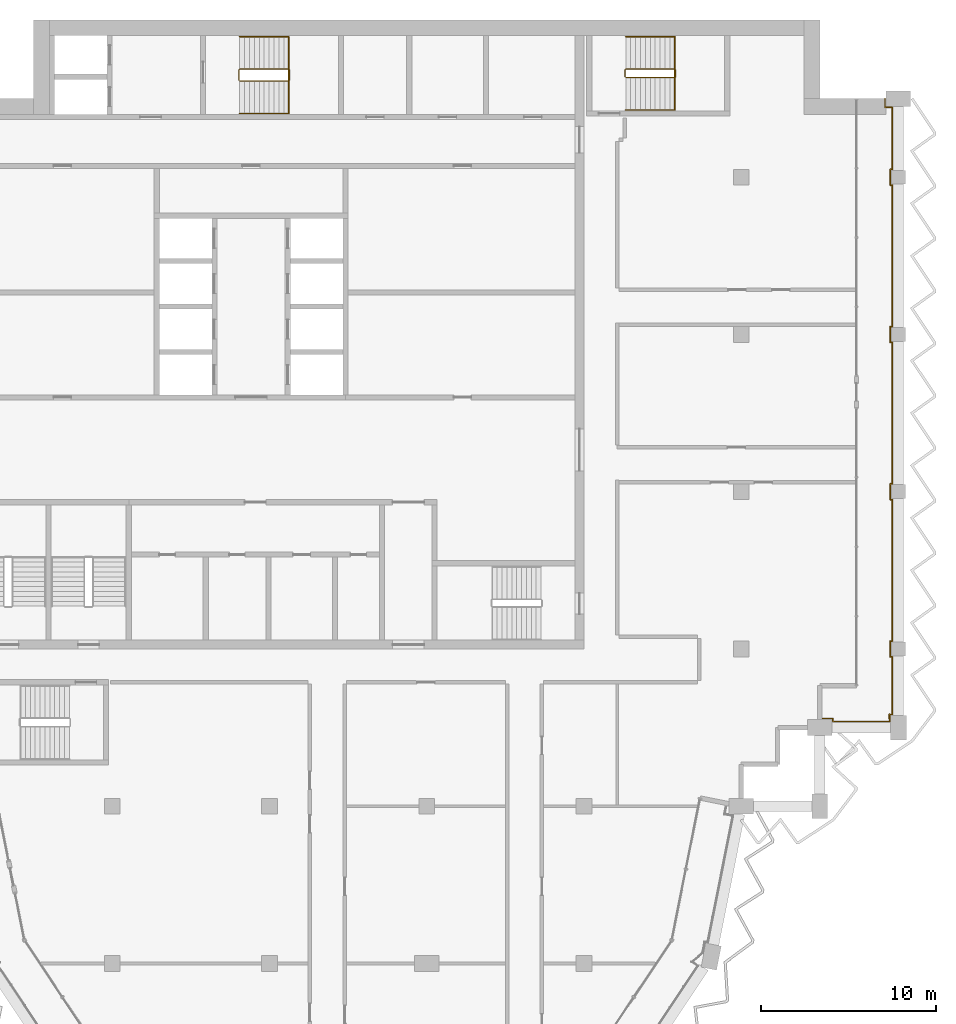
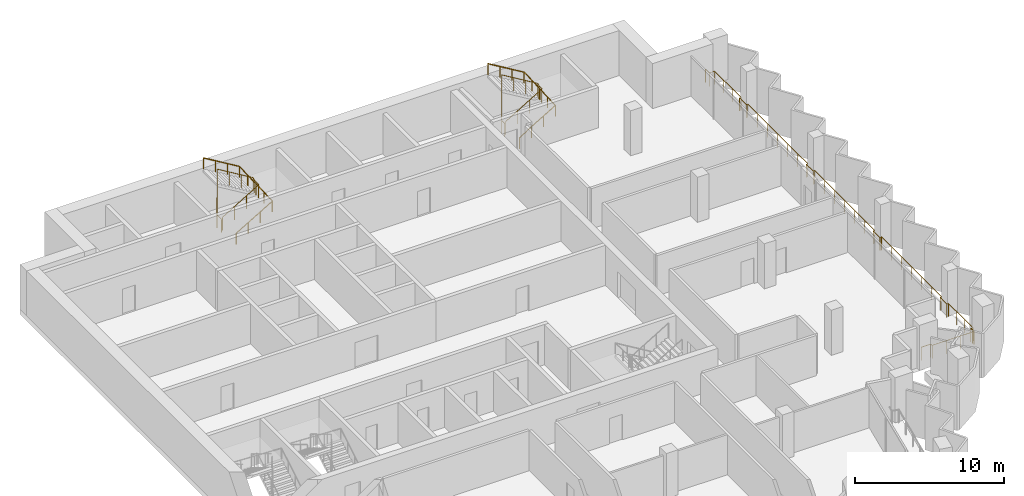
# One storey, part 14 of 14: 5 railings.
"""IFC4 building model written with IfcOpenShell, lengths in metres."""

import ifcopenshell
import ifcopenshell.guid

model = None  # the IFC model being written
_history = None  # IfcOwnerHistory: only IFC2X3 demands one
_inside = {}  # id of a spatial element -> (the spatial element, [elements in it])
_under = {}  # id of a project, library or spatial element -> (it, [spatial elements below it])
_declared = {}  # id of a project -> (the project, [libraries it declares])
_typed = {}  # id of a type object -> (the type object, [elements of that type])
_made_of = {}  # id of a material, layer set ... -> (it, [elements and type objects made of it])


def new_model(schema):
    """Start an empty IFC model of exactly this schema.

    Asked for "IFC4X3", IfcOpenShell would pick the latest addendum, in which some entities
    have other attributes; the version numbers below select the first issue.
    IFC2X3 requires an IfcOwnerHistory on every rooted entity: one is made here for all.
    """
    global model, _history
    if schema == "IFC4X3":
        model = ifcopenshell.file(schema_version=(4, 3, 0, 0))
    else:
        model = ifcopenshell.file(schema=schema)
    _inside.clear()
    _under.clear()
    _declared.clear()
    _typed.clear()
    _made_of.clear()
    _history = None
    if model.schema == "IFC2X3":
        org = make("IfcOrganization", Name="unknown")
        user = make(
            "IfcPersonAndOrganization",
            ThePerson=make("IfcPerson", FamilyName="unknown"),
            TheOrganization=org,
        )
        app = make(
            "IfcApplication",
            ApplicationDeveloper=org,
            Version="unknown",
            ApplicationFullName="unknown",
            ApplicationIdentifier="unknown",
        )
        _history = make(
            "IfcOwnerHistory",
            OwningUser=user,
            OwningApplication=app,
            ChangeAction="ADDED",
            CreationDate=0,
        )
    return model


def make(cls, **values):
    """One entity of the class cls with the attributes given. An attribute that is None is left unset."""
    return model.create_entity(
        cls, **{name: value for name, value in values.items() if value is not None}
    )


def rooted(cls, **values):
    """An entity with a GlobalId (a new one), such as an element, a storey or a relation."""
    return make(cls, GlobalId=ifcopenshell.guid.new(), OwnerHistory=_history, **values)


def si_unit(unit_type, name, prefix=None):
    """IfcSIUnit, for example si_unit("LENGTHUNIT", "METRE", prefix="MILLI")."""
    return make("IfcSIUnit", UnitType=unit_type, Prefix=prefix, Name=name)


def assignment(units):
    """IfcUnitAssignment: the units of a project."""
    return None if units is None else make("IfcUnitAssignment", Units=units)


def point(xyz):
    """IfcCartesianPoint."""
    return None if xyz is None else make("IfcCartesianPoint", Coordinates=xyz)


def direction(xyz):
    """IfcDirection."""
    return None if xyz is None else make("IfcDirection", DirectionRatios=xyz)


def frame(location, z_axis=None, x_axis=None):
    """IfcAxis2Placement3D, a coordinate frame: its origin and axes. An axis left out is left unset."""
    return make(
        "IfcAxis2Placement3D",
        Location=point(location),
        Axis=direction(z_axis),
        RefDirection=direction(x_axis),
    )


def frame_2d(location, x_axis=None):
    """IfcAxis2Placement2D, a coordinate frame in the plane: its origin and x axis."""
    return make(
        "IfcAxis2Placement2D", Location=point(location), RefDirection=direction(x_axis)
    )


def origin():
    """The frame at (0, 0, 0) with its axes left unset."""
    return frame((0.0, 0.0, 0.0))


def origin_2d():
    """The frame at (0, 0) in the plane with its x axis left unset."""
    return frame_2d((0.0, 0.0))


def place(relative_to, where):
    """IfcLocalPlacement: puts the frame where relative to a parent placement (None: the world)."""
    return make(
        "IfcLocalPlacement", PlacementRelTo=relative_to, RelativePlacement=where
    )


def context(
    kind, dimensions, precision=None, world=None, true_north=None, identifier=None
):
    """IfcGeometricRepresentationContext, for example the 3D "Model" context."""
    return make(
        "IfcGeometricRepresentationContext",
        ContextIdentifier=identifier,
        ContextType=kind,
        CoordinateSpaceDimension=dimensions,
        Precision=precision,
        WorldCoordinateSystem=world,
        TrueNorth=true_north,
    )


def subcontext(parent, identifier, kind, view, scale=None):
    """IfcGeometricRepresentationSubContext, for example "Body" below "Model"."""
    return make(
        "IfcGeometricRepresentationSubContext",
        ContextIdentifier=identifier,
        ContextType=kind,
        ParentContext=parent,
        TargetScale=scale,
        TargetView=view,
    )


def project(units=None, contexts=None):
    """IfcProject with its units and contexts."""
    return rooted(
        "IfcProject",
        Name="project",
        RepresentationContexts=contexts,
        UnitsInContext=assignment(units),
    )


def spatial(cls, under=None, at=None, **own):
    """A site, building, storey or space (cls), placed at a placement, below another one or the project."""
    s = rooted(cls, ObjectPlacement=at, **own)
    if under is not None:
        _under.setdefault(under.id(), (under, []))[1].append(s)
    return s


def profile(cls, at=None, kind="AREA", **sizes):
    """A parametric profile (cls). Its sizes go by their IFC names, for example OverallWidth=200.0."""
    return make(cls, ProfileType=kind, Position=at, **sizes)


def circle(**sizes):
    """IfcCircleProfileDef."""
    return profile("IfcCircleProfileDef", **sizes)


def extrude(swept, where, along, depth):
    """IfcExtrudedAreaSolid: the profile swept, set in the frame where, extruded along a direction by depth."""
    return make(
        "IfcExtrudedAreaSolid",
        SweptArea=swept,
        Position=where,
        ExtrudedDirection=direction(along),
        Depth=depth,
    )


def shape(context_of_items, identifier, shape_type, items):
    """IfcShapeRepresentation: the items that make up one representation, for example the "Body"."""
    return make(
        "IfcShapeRepresentation",
        ContextOfItems=context_of_items,
        RepresentationIdentifier=identifier,
        RepresentationType=shape_type,
        Items=items,
    )


def material(Name=None, Category=None):
    """IfcMaterial."""
    return make("IfcMaterial", Name=Name, Category=Category)


def made_of(thing, what):
    """Note that an element or type object is made of a material, layer set ...; save() writes the relation."""
    if what is not None:
        _made_of.setdefault(what.id(), (what, []))[1].append(thing)
    return thing


def type_object(cls, material=None, **own):
    """A type object (cls), such as IfcWallType, which elements share."""
    return made_of(rooted(cls, **own), material)


def element(
    cls,
    number,
    at=None,
    inside=None,
    cuts=None,
    type_object=None,
    material=None,
    context=None,
    identifier="Body",
    shape_type=None,
    held_by="IfcProductDefinitionShape",
    body=None,
    shapes=None,
    **own,
):
    """One element of the class cls, such as IfcWall. Its Tag is "e" and its number.

    at: its placement. inside: the storey or other place that contains it. cuts: it is an
    opening in that element (IfcRelVoidsElement). A single representation is given by context,
    identifier, shape_type and body (its items); several are given by shapes. held_by: the class
    of the entity that holds the representations. save() writes the other relations.
    """
    e = rooted(cls, Tag="e%d" % number, ObjectPlacement=at, **own)
    if body is not None:
        shapes = [shape(context, identifier, shape_type, body)]
    if shapes is not None:
        e.Representation = make(held_by, Representations=shapes)
    if inside is not None:
        _inside.setdefault(inside.id(), (inside, []))[1].append(e)
    if cuts is not None:
        rooted(
            "IfcRelVoidsElement", RelatingBuildingElement=cuts, RelatedOpeningElement=e
        )
    if type_object is not None:
        _typed.setdefault(type_object.id(), (type_object, []))[1].append(e)
    return made_of(e, material)


def aggregate(whole, parts):
    """IfcRelAggregates: a whole, such as a stair, and the parts it consists of."""
    return rooted("IfcRelAggregates", RelatingObject=whole, RelatedObjects=parts)


def save(model, path):
    """Write the relations noted so far, then the file.

    IfcRelAggregates (storeys below a building ...), IfcRelContainedInSpatialStructure (elements
    in a storey), IfcRelDefinesByType, IfcRelAssociatesMaterial and IfcRelDeclares: one each for
    every whole, place, type object, material and project.
    """
    for whole, parts in _under.values():
        aggregate(whole, parts)
    for where, things in _inside.values():
        rooted(
            "IfcRelContainedInSpatialStructure",
            RelatedElements=things,
            RelatingStructure=where,
        )
    for kind, things in _typed.values():
        rooted("IfcRelDefinesByType", RelatedObjects=things, RelatingType=kind)
    for what, things in _made_of.values():
        rooted("IfcRelAssociatesMaterial", RelatedObjects=things, RelatingMaterial=what)
    for by, libraries in _declared.values():
        rooted("IfcRelDeclares", RelatingContext=by, RelatedDefinitions=libraries)
    model.write(path)


model = new_model("IFC4")

# Units and contexts
model_context = context("Model", 3, precision=1e-05, world=origin(), true_north=direction((0.0, 1.0)))
body_context = subcontext(model_context, "Body", "Model", "MODEL_VIEW")
ifc_project = project(units=[si_unit("LENGTHUNIT", "METRE"), si_unit("AREAUNIT", "SQUARE_METRE"), si_unit("VOLUMEUNIT", "CUBIC_METRE"), si_unit("PLANEANGLEUNIT", "RADIAN"), si_unit("MASSUNIT", "GRAM", prefix="KILO")], contexts=[model_context])

# Site, building, storey
site_placement = place(None, origin())
site = spatial("IfcSite", under=ifc_project, at=site_placement, CompositionType="ELEMENT")
building_placement = place(site_placement, origin())
building = spatial("IfcBuilding", under=site, at=building_placement, Name="Hunhe Ridgeline Campus", CompositionType="ELEMENT")
storey_placement = place(building_placement, frame((0.0, 0.0, 284.5)))
storey = spatial("IfcBuildingStorey", under=building, at=storey_placement, Name="L73", CompositionType="ELEMENT", Elevation=284.5)

# Railings
ifc_material_1 = material(Name="Steel Q355", Category="steel")
railing_type_1 = type_object("IfcRailingType", Name="Loggia guard 1100 Steel Q355", PredefinedType="GUARDRAIL", material=ifc_material_1)
railing_1_placement = place(storey_placement, frame((49.5, 59.02001953125, 0.0)))
element("IfcRailing", 1, at=railing_1_placement, inside=storey, type_object=railing_type_1, Name="Loggia guard 2", PredefinedType="GUARDRAIL", context=body_context, shape_type="SweptSolid", body=[
    extrude(circle(Radius=0.02392578125, at=origin_2d()), frame((0.0, 0.0, 1.076171875), z_axis=(1.0, 0.0, 0.0), x_axis=(0.0, 1.0, 0.0)), (0.0, 0.0, 1.0), 0.75),
    extrude(circle(Radius=0.02392578125, at=origin_2d()), frame((0.75, 0.0, 1.076171875), z_axis=(0.0, -1.0, 0.0), x_axis=(1.0, 0.0, 0.0)), (0.0, 0.0, 1.0), 0.169921875),
    extrude(circle(Radius=0.02392578125, at=origin_2d()), frame((0.75, -0.169921875, 1.076171875), z_axis=(1.0, 0.0, 0.0), x_axis=(0.0, 1.0, 0.0)), (0.0, 0.0, 1.0), 3.25),
    extrude(circle(Radius=0.02392578125, at=origin_2d()), frame((4.0, -0.169921875, 1.076171875), z_axis=(0.0, 1.0, 0.0), x_axis=(-1.0, 0.0, 0.0)), (0.0, 0.0, 1.0), 0.419921875),
    extrude(circle(Radius=0.02392578125, at=origin_2d()), frame((4.0, 0.25, 1.076171875), z_axis=(-0.079822602517, -0.996809085095, 0.0), x_axis=(0.996809085095, -0.079822602517, 0.0)), (0.0, 0.0, 1.0), 0.250732421875),
    extrude(circle(Radius=0.02392578125, at=origin_2d()), frame((3.97998046875, 0.0, 1.076171875), z_axis=(0.0, 1.0, 0.0), x_axis=(-1.0, 0.0, 0.0)), (0.0, 0.0, 1.0), 0.22998046875),
    extrude(circle(Radius=0.02392578125, at=origin_2d()), frame((3.97998046875, 0.22998046875, 1.076171875), z_axis=(1.0, 0.0, 0.0), x_axis=(0.0, 1.0, 0.0)), (0.0, 0.0, 1.0), 0.169921875),
    extrude(circle(Radius=0.02392578125, at=origin_2d()), frame((4.14990234375, 0.22998046875, 1.076171875), z_axis=(0.0, 1.0, 0.0), x_axis=(-1.0, 0.0, 0.0)), (0.0, 0.0, 1.0), 3.300048828125),
    extrude(circle(Radius=0.02392578125, at=origin_2d()), frame((4.14990234375, 3.530029296875, 1.076171875), z_axis=(-1.0, 0.0, 0.0), x_axis=(0.0, -1.0, 0.0)), (0.0, 0.0, 1.0), 0.119873046875),
    extrude(circle(Radius=0.02392578125, at=origin_2d()), frame((4.030029296875, 3.530029296875, 1.076171875), z_axis=(0.0, 1.0, 0.0), x_axis=(-1.0, 0.0, 0.0)), (0.0, 0.0, 1.0), 0.89990234375),
    extrude(circle(Radius=0.02392578125, at=origin_2d()), frame((4.030029296875, 4.429931640625, 1.076171875), z_axis=(1.0, 0.0, 0.0), x_axis=(0.0, 1.0, 0.0)), (0.0, 0.0, 1.0), 0.119873046875),
    extrude(circle(Radius=0.02392578125, at=origin_2d()), frame((4.14990234375, 4.429931640625, 1.076171875), z_axis=(0.0, 1.0, 0.0), x_axis=(-1.0, 0.0, 0.0)), (0.0, 0.0, 1.0), 8.10009765625),
    extrude(circle(Radius=0.02392578125, at=origin_2d()), frame((4.14990234375, 12.530029296875, 1.076171875), z_axis=(-1.0, 0.0, 0.0), x_axis=(0.0, -1.0, 0.0)), (0.0, 0.0, 1.0), 0.119873046875),
    extrude(circle(Radius=0.02392578125, at=origin_2d()), frame((4.030029296875, 12.530029296875, 1.076171875), z_axis=(0.0, 1.0, 0.0), x_axis=(-1.0, 0.0, 0.0)), (0.0, 0.0, 1.0), 0.89990234375),
    extrude(circle(Radius=0.02392578125, at=origin_2d()), frame((4.030029296875, 13.429931640625, 1.076171875), z_axis=(1.0, 0.0, 0.0), x_axis=(0.0, 1.0, 0.0)), (0.0, 0.0, 1.0), 0.119873046875),
    extrude(circle(Radius=0.02392578125, at=origin_2d()), frame((4.14990234375, 13.429931640625, 1.076171875), z_axis=(0.0, 1.0, 0.0), x_axis=(-1.0, 0.0, 0.0)), (0.0, 0.0, 1.0), 8.10009765625),
    extrude(circle(Radius=0.02392578125, at=origin_2d()), frame((4.14990234375, 21.530029296875, 1.076171875), z_axis=(-1.0, 0.0, 0.0), x_axis=(0.0, -1.0, 0.0)), (0.0, 0.0, 1.0), 0.119873046875),
    extrude(circle(Radius=0.02392578125, at=origin_2d()), frame((4.030029296875, 21.530029296875, 1.076171875), z_axis=(0.0, 1.0, 0.0), x_axis=(-1.0, 0.0, 0.0)), (0.0, 0.0, 1.0), 0.89990234375),
    extrude(circle(Radius=0.02392578125, at=origin_2d()), frame((4.030029296875, 22.429931640625, 1.076171875), z_axis=(1.0, 0.0, 0.0), x_axis=(0.0, 1.0, 0.0)), (0.0, 0.0, 1.0), 0.119873046875),
    extrude(circle(Radius=0.02392578125, at=origin_2d()), frame((4.14990234375, 22.429931640625, 1.076171875), z_axis=(0.0, 1.0, 0.0), x_axis=(-1.0, 0.0, 0.0)), (0.0, 0.0, 1.0), 8.10009765625),
    extrude(circle(Radius=0.02392578125, at=origin_2d()), frame((4.14990234375, 30.530029296875, 1.076171875), z_axis=(-1.0, 0.0, 0.0), x_axis=(0.0, -1.0, 0.0)), (0.0, 0.0, 1.0), 0.119873046875),
    extrude(circle(Radius=0.02392578125, at=origin_2d()), frame((4.030029296875, 30.530029296875, 1.076171875), z_axis=(0.0, 1.0, 0.0), x_axis=(-1.0, 0.0, 0.0)), (0.0, 0.0, 1.0), 0.89990234375),
    extrude(circle(Radius=0.02392578125, at=origin_2d()), frame((4.030029296875, 31.429931640625, 1.076171875), z_axis=(1.0, 0.0, 0.0), x_axis=(0.0, 1.0, 0.0)), (0.0, 0.0, 1.0), 0.119873046875),
    extrude(circle(Radius=0.02392578125, at=origin_2d()), frame((4.14990234375, 31.429931640625, 1.076171875), z_axis=(0.0, 1.0, 0.0), x_axis=(-1.0, 0.0, 0.0)), (0.0, 0.0, 1.0), 3.550048828125),
    extrude(circle(Radius=0.02392578125, at=origin_2d()), frame((4.14990234375, 34.97998046875, 1.076171875), z_axis=(-1.0, 0.0, 0.0), x_axis=(0.0, -1.0, 0.0)), (0.0, 0.0, 1.0), 0.419921875),
    extrude(circle(Radius=0.02392578125, at=origin_2d()), frame((3.72998046875, 34.97998046875, 1.076171875), z_axis=(0.0, 1.0, 0.0), x_axis=(-1.0, 0.0, 0.0)), (0.0, 0.0, 1.0), 0.5),
    extrude(circle(Radius=0.02099609375, at=origin_2d()), origin(), (0.0, 0.0, 1.0), 1.052001953125),
    extrude(circle(Radius=0.02099609375, at=origin_2d()), frame((0.75, 0.0, 0.0)), (0.0, 0.0, 1.0), 1.052001953125),
    extrude(circle(Radius=0.02099609375, at=origin_2d()), frame((0.75, -0.169921875, 0.0)), (0.0, 0.0, 1.0), 1.052001953125),
    extrude(circle(Radius=0.02099609375, at=origin_2d()), frame((1.833251953125, -0.169921875, 0.0)), (0.0, 0.0, 1.0), 1.052001953125),
    extrude(circle(Radius=0.02099609375, at=origin_2d()), frame((2.916748046875, -0.169921875, 0.0)), (0.0, 0.0, 1.0), 1.052001953125),
    extrude(circle(Radius=0.02099609375, at=origin_2d()), frame((4.0, -0.169921875, 0.0)), (0.0, 0.0, 1.0), 1.052001953125),
    extrude(circle(Radius=0.02099609375, at=origin_2d()), frame((4.0, 0.25, 0.0)), (0.0, 0.0, 1.0), 1.052001953125),
    extrude(circle(Radius=0.02099609375, at=origin_2d()), frame((3.97998046875, 0.0, 0.0)), (0.0, 0.0, 1.0), 1.052001953125),
    extrude(circle(Radius=0.02099609375, at=origin_2d()), frame((3.97998046875, 0.22998046875, 0.0)), (0.0, 0.0, 1.0), 1.052001953125),
    extrude(circle(Radius=0.02099609375, at=origin_2d()), frame((4.14990234375, 0.22998046875, 0.0)), (0.0, 0.0, 1.0), 1.052001953125),
    extrude(circle(Radius=0.02099609375, at=origin_2d()), frame((4.14990234375, 1.330078125, 0.0)), (0.0, 0.0, 1.0), 1.052001953125),
    extrude(circle(Radius=0.02099609375, at=origin_2d()), frame((4.14990234375, 2.429931640625, 0.0)), (0.0, 0.0, 1.0), 1.052001953125),
    extrude(circle(Radius=0.02099609375, at=origin_2d()), frame((4.14990234375, 3.530029296875, 0.0)), (0.0, 0.0, 1.0), 1.052001953125),
    extrude(circle(Radius=0.02099609375, at=origin_2d()), frame((4.030029296875, 3.530029296875, 0.0)), (0.0, 0.0, 1.0), 1.052001953125),
    extrude(circle(Radius=0.02099609375, at=origin_2d()), frame((4.030029296875, 4.429931640625, 0.0)), (0.0, 0.0, 1.0), 1.052001953125),
    extrude(circle(Radius=0.02099609375, at=origin_2d()), frame((4.14990234375, 4.429931640625, 0.0)), (0.0, 0.0, 1.0), 1.052001953125),
    extrude(circle(Radius=0.02099609375, at=origin_2d()), frame((4.14990234375, 5.780029296875, 0.0)), (0.0, 0.0, 1.0), 1.052001953125),
    extrude(circle(Radius=0.02099609375, at=origin_2d()), frame((4.14990234375, 7.1298828125, 0.0)), (0.0, 0.0, 1.0), 1.052001953125),
    extrude(circle(Radius=0.02099609375, at=origin_2d()), frame((4.14990234375, 8.47998046875, 0.0)), (0.0, 0.0, 1.0), 1.052001953125),
    extrude(circle(Radius=0.02099609375, at=origin_2d()), frame((4.14990234375, 9.830078125, 0.0)), (0.0, 0.0, 1.0), 1.052001953125),
    extrude(circle(Radius=0.02099609375, at=origin_2d()), frame((4.14990234375, 11.179931640625, 0.0)), (0.0, 0.0, 1.0), 1.052001953125),
    extrude(circle(Radius=0.02099609375, at=origin_2d()), frame((4.14990234375, 12.530029296875, 0.0)), (0.0, 0.0, 1.0), 1.052001953125),
    extrude(circle(Radius=0.02099609375, at=origin_2d()), frame((4.030029296875, 12.530029296875, 0.0)), (0.0, 0.0, 1.0), 1.052001953125),
    extrude(circle(Radius=0.02099609375, at=origin_2d()), frame((4.030029296875, 13.429931640625, 0.0)), (0.0, 0.0, 1.0), 1.052001953125),
    extrude(circle(Radius=0.02099609375, at=origin_2d()), frame((4.14990234375, 13.429931640625, 0.0)), (0.0, 0.0, 1.0), 1.052001953125),
    extrude(circle(Radius=0.02099609375, at=origin_2d()), frame((4.14990234375, 14.780029296875, 0.0)), (0.0, 0.0, 1.0), 1.052001953125),
    extrude(circle(Radius=0.02099609375, at=origin_2d()), frame((4.14990234375, 16.1298828125, 0.0)), (0.0, 0.0, 1.0), 1.052001953125),
    extrude(circle(Radius=0.02099609375, at=origin_2d()), frame((4.14990234375, 17.47998046875, 0.0)), (0.0, 0.0, 1.0), 1.052001953125),
    extrude(circle(Radius=0.02099609375, at=origin_2d()), frame((4.14990234375, 18.830078125, 0.0)), (0.0, 0.0, 1.0), 1.052001953125),
    extrude(circle(Radius=0.02099609375, at=origin_2d()), frame((4.14990234375, 20.179931640625, 0.0)), (0.0, 0.0, 1.0), 1.052001953125),
    extrude(circle(Radius=0.02099609375, at=origin_2d()), frame((4.14990234375, 21.530029296875, 0.0)), (0.0, 0.0, 1.0), 1.052001953125),
    extrude(circle(Radius=0.02099609375, at=origin_2d()), frame((4.030029296875, 21.530029296875, 0.0)), (0.0, 0.0, 1.0), 1.052001953125),
    extrude(circle(Radius=0.02099609375, at=origin_2d()), frame((4.030029296875, 22.429931640625, 0.0)), (0.0, 0.0, 1.0), 1.052001953125),
    extrude(circle(Radius=0.02099609375, at=origin_2d()), frame((4.14990234375, 22.429931640625, 0.0)), (0.0, 0.0, 1.0), 1.052001953125),
    extrude(circle(Radius=0.02099609375, at=origin_2d()), frame((4.14990234375, 23.780029296875, 0.0)), (0.0, 0.0, 1.0), 1.052001953125),
    extrude(circle(Radius=0.02099609375, at=origin_2d()), frame((4.14990234375, 25.1298828125, 0.0)), (0.0, 0.0, 1.0), 1.052001953125),
    extrude(circle(Radius=0.02099609375, at=origin_2d()), frame((4.14990234375, 26.47998046875, 0.0)), (0.0, 0.0, 1.0), 1.052001953125),
    extrude(circle(Radius=0.02099609375, at=origin_2d()), frame((4.14990234375, 27.830078125, 0.0)), (0.0, 0.0, 1.0), 1.052001953125),
    extrude(circle(Radius=0.02099609375, at=origin_2d()), frame((4.14990234375, 29.179931640625, 0.0)), (0.0, 0.0, 1.0), 1.052001953125),
    extrude(circle(Radius=0.02099609375, at=origin_2d()), frame((4.14990234375, 30.530029296875, 0.0)), (0.0, 0.0, 1.0), 1.052001953125),
    extrude(circle(Radius=0.02099609375, at=origin_2d()), frame((4.030029296875, 30.530029296875, 0.0)), (0.0, 0.0, 1.0), 1.052001953125),
    extrude(circle(Radius=0.02099609375, at=origin_2d()), frame((4.030029296875, 31.429931640625, 0.0)), (0.0, 0.0, 1.0), 1.052001953125),
    extrude(circle(Radius=0.02099609375, at=origin_2d()), frame((4.14990234375, 31.429931640625, 0.0)), (0.0, 0.0, 1.0), 1.052001953125),
    extrude(circle(Radius=0.02099609375, at=origin_2d()), frame((4.14990234375, 32.61328125, 0.0)), (0.0, 0.0, 1.0), 1.052001953125),
    extrude(circle(Radius=0.02099609375, at=origin_2d()), frame((4.14990234375, 33.796630859375, 0.0)), (0.0, 0.0, 1.0), 1.052001953125),
    extrude(circle(Radius=0.02099609375, at=origin_2d()), frame((4.14990234375, 34.97998046875, 0.0)), (0.0, 0.0, 1.0), 1.052001953125),
    extrude(circle(Radius=0.02099609375, at=origin_2d()), frame((3.72998046875, 34.97998046875, 0.0)), (0.0, 0.0, 1.0), 1.052001953125),
    extrude(circle(Radius=0.02099609375, at=origin_2d()), frame((3.72998046875, 35.47998046875, 0.0)), (0.0, 0.0, 1.0), 1.052001953125),
])
ifc_material_2 = material(Name="Stainless steel balustrade", Category="steel")
railing_type_2 = type_object("IfcRailingType", Name="Stair guard 1100 stainless", PredefinedType="GUARDRAIL", material=ifc_material_2)
railing_2_placement = place(storey_placement, frame((16.300048828125, 95.5, 0.168212890625)))
element("IfcRailing", 2, at=railing_2_placement, inside=storey, type_object=railing_type_2, Name="L73 stair S1 guard", PredefinedType="GUARDRAIL", context=body_context, shape_type="SweptSolid", body=[
    extrude(circle(Radius=0.02392578125, at=origin_2d()), frame((0.0, 0.0, 1.076171875), z_axis=(0.857242210791, 0.0, 0.514913383045), x_axis=(0.0, 1.0, 0.0)), (0.0, 0.0, 1.0), 3.266357421875),
    extrude(circle(Radius=0.02392578125, at=origin_2d()), frame((2.800048828125, 0.0, 2.7578125), z_axis=(0.705375805398, 0.708833529934, 0.0), x_axis=(-0.708833529934, 0.705375805398, 0.0)), (0.0, 0.0, 1.0), 0.070556640625),
    extrude(circle(Radius=0.02392578125, at=origin_2d()), frame((2.849853515625, 0.050048828125, 2.7578125), z_axis=(0.0, 1.0, 0.0), x_axis=(-1.0, 0.0, 0.0)), (0.0, 0.0, 1.0), 0.599853515625),
    extrude(circle(Radius=0.02392578125, at=origin_2d()), frame((2.849853515625, 0.64990234375, 2.7578125), z_axis=(-0.273343290215, 0.274683208305, 0.921863645432), x_axis=(-0.708833529934, -0.705375805398, 0.0)), (0.0, 0.0, 1.0), 0.18212890625),
    extrude(circle(Radius=0.02392578125, at=origin_2d()), frame((2.800048828125, 0.699951171875, 2.92578125), z_axis=(-0.857242210791, 0.0, 0.514913383045), x_axis=(0.0, -1.0, 0.0)), (0.0, 0.0, 1.0), 3.266357421875),
    extrude(circle(Radius=0.02392578125, at=origin_2d()), frame((0.0, 0.699951171875, 4.60791015625), z_axis=(-0.013524414389, -0.013524414389, -0.999817073484), x_axis=(0.707106781187, -0.707106781187, 0.0)), (0.0, 0.0, 1.0), 3.70068359375),
    extrude(circle(Radius=0.02392578125, at=origin_2d()), frame((-0.050048828125, 0.64990234375, 0.90771484375), z_axis=(0.0, -1.0, 0.0), x_axis=(1.0, 0.0, 0.0)), (0.0, 0.0, 1.0), 0.599853515625),
    extrude(circle(Radius=0.02099609375, at=origin_2d()), origin(), (0.0, 0.0, 1.0), 1.052001953125),
    extrude(circle(Radius=0.02099609375, at=origin_2d()), frame((0.933349609375, 0.0, 0.560546875)), (0.0, 0.0, 1.0), 1.052001953125),
    extrude(circle(Radius=0.02099609375, at=origin_2d()), frame((1.86669921875, 0.0, 1.121337890625)), (0.0, 0.0, 1.0), 1.052001953125),
    extrude(circle(Radius=0.02099609375, at=origin_2d()), frame((2.800048828125, 0.0, 1.681884765625)), (0.0, 0.0, 1.0), 1.052001953125),
    extrude(circle(Radius=0.02099609375, at=origin_2d()), frame((2.849853515625, 0.050048828125, 1.681884765625)), (0.0, 0.0, 1.0), 1.052001953125),
    extrude(circle(Radius=0.02099609375, at=origin_2d()), frame((2.849853515625, 0.64990234375, 1.681884765625)), (0.0, 0.0, 1.0), 1.052001953125),
    extrude(circle(Radius=0.02099609375, at=origin_2d()), frame((2.800048828125, 0.699951171875, 1.849853515625)), (0.0, 0.0, 1.0), 1.052001953125),
    extrude(circle(Radius=0.02099609375, at=origin_2d()), frame((1.86669921875, 0.699951171875, 2.410400390625)), (0.0, 0.0, 1.0), 1.052001953125),
    extrude(circle(Radius=0.02099609375, at=origin_2d()), frame((0.933349609375, 0.699951171875, 2.97119140625)), (0.0, 0.0, 1.0), 1.052001953125),
    extrude(circle(Radius=0.02099609375, at=origin_2d()), frame((0.0, 0.699951171875, 3.53173828125)), (0.0, 0.0, 1.0), 1.052001953125),
    extrude(circle(Radius=0.02099609375, at=origin_2d()), frame((-0.012451171875, 0.6875, 2.606689453125)), (0.0, 0.0, 1.0), 1.052001953125),
    extrude(circle(Radius=0.02099609375, at=origin_2d()), frame((-0.02490234375, 0.6748046875, 1.681640625)), (0.0, 0.0, 1.0), 1.052001953125),
    extrude(circle(Radius=0.02099609375, at=origin_2d()), frame((-0.03759765625, 0.662353515625, 0.7568359375)), (0.0, 0.0, 1.0), 1.052001953125),
    extrude(circle(Radius=0.02099609375, at=origin_2d()), frame((-0.050048828125, 0.64990234375, -0.168212890625)), (0.0, 0.0, 1.0), 1.052001953125),
    extrude(circle(Radius=0.02099609375, at=origin_2d()), frame((-0.050048828125, 0.050048828125, -0.168212890625)), (0.0, 0.0, 1.0), 1.052001953125),
])
railing_3_placement = place(storey_placement, frame((38.39990234375, 95.699951171875, 0.168212890625)))
element("IfcRailing", 3, at=railing_3_placement, inside=storey, type_object=railing_type_2, Name="L73 stair E1 guard", PredefinedType="GUARDRAIL", context=body_context, shape_type="SweptSolid", body=[
    extrude(circle(Radius=0.02392578125, at=origin_2d()), frame((0.0, 0.0, 1.076171875), z_axis=(0.857242210791, 0.0, 0.514913383045), x_axis=(0.0, 1.0, 0.0)), (0.0, 0.0, 1.0), 3.266357421875),
    extrude(circle(Radius=0.02392578125, at=origin_2d()), frame((2.800048828125, 0.0, 2.7578125), z_axis=(0.707106781187, 0.707106781187, 0.0), x_axis=(-0.707106781187, 0.707106781187, 0.0)), (0.0, 0.0, 1.0), 0.07080078125),
    extrude(circle(Radius=0.02392578125, at=origin_2d()), frame((2.85009765625, 0.050048828125, 2.7578125), z_axis=(0.0, 1.0, 0.0), x_axis=(-1.0, 0.0, 0.0)), (0.0, 0.0, 1.0), 0.39990234375),
    extrude(circle(Radius=0.02392578125, at=origin_2d()), frame((2.85009765625, 0.449951171875, 2.7578125), z_axis=(-0.274582412415, 0.274582412415, 0.921525364591), x_axis=(-0.707106781187, -0.707106781187, 0.0)), (0.0, 0.0, 1.0), 0.182373046875),
    extrude(circle(Radius=0.02392578125, at=origin_2d()), frame((2.800048828125, 0.5, 2.92578125), z_axis=(-0.857242210791, 0.0, 0.514913383045), x_axis=(0.0, -1.0, 0.0)), (0.0, 0.0, 1.0), 3.266357421875),
    extrude(circle(Radius=0.02392578125, at=origin_2d()), frame((0.0, 0.5, 4.60791015625), z_axis=(-0.013458453615, -0.013524426427, -0.999817963389), x_axis=(0.708833529934, -0.705375805398, 0.0)), (0.0, 0.0, 1.0), 3.70068359375),
    extrude(circle(Radius=0.02392578125, at=origin_2d()), frame((-0.0498046875, 0.449951171875, 0.90771484375), z_axis=(0.0, -1.0, 0.0), x_axis=(1.0, 0.0, 0.0)), (0.0, 0.0, 1.0), 0.39990234375),
    extrude(circle(Radius=0.02099609375, at=origin_2d()), origin(), (0.0, 0.0, 1.0), 1.052001953125),
    extrude(circle(Radius=0.02099609375, at=origin_2d()), frame((0.933349609375, 0.0, 0.560546875)), (0.0, 0.0, 1.0), 1.052001953125),
    extrude(circle(Radius=0.02099609375, at=origin_2d()), frame((1.86669921875, 0.0, 1.121337890625)), (0.0, 0.0, 1.0), 1.052001953125),
    extrude(circle(Radius=0.02099609375, at=origin_2d()), frame((2.800048828125, 0.0, 1.681884765625)), (0.0, 0.0, 1.0), 1.052001953125),
    extrude(circle(Radius=0.02099609375, at=origin_2d()), frame((2.85009765625, 0.050048828125, 1.681884765625)), (0.0, 0.0, 1.0), 1.052001953125),
    extrude(circle(Radius=0.02099609375, at=origin_2d()), frame((2.85009765625, 0.449951171875, 1.681884765625)), (0.0, 0.0, 1.0), 1.052001953125),
    extrude(circle(Radius=0.02099609375, at=origin_2d()), frame((2.800048828125, 0.5, 1.849853515625)), (0.0, 0.0, 1.0), 1.052001953125),
    extrude(circle(Radius=0.02099609375, at=origin_2d()), frame((1.86669921875, 0.5, 2.410400390625)), (0.0, 0.0, 1.0), 1.052001953125),
    extrude(circle(Radius=0.02099609375, at=origin_2d()), frame((0.933349609375, 0.5, 2.97119140625)), (0.0, 0.0, 1.0), 1.052001953125),
    extrude(circle(Radius=0.02099609375, at=origin_2d()), frame((0.0, 0.5, 3.53173828125)), (0.0, 0.0, 1.0), 1.052001953125),
    extrude(circle(Radius=0.02099609375, at=origin_2d()), frame((-0.012451171875, 0.487548828125, 2.606689453125)), (0.0, 0.0, 1.0), 1.052001953125),
    extrude(circle(Radius=0.02099609375, at=origin_2d()), frame((-0.02490234375, 0.47509765625, 1.681640625)), (0.0, 0.0, 1.0), 1.052001953125),
    extrude(circle(Radius=0.02099609375, at=origin_2d()), frame((-0.037353515625, 0.46240234375, 0.7568359375)), (0.0, 0.0, 1.0), 1.052001953125),
    extrude(circle(Radius=0.02099609375, at=origin_2d()), frame((-0.0498046875, 0.449951171875, -0.168212890625)), (0.0, 0.0, 1.0), 1.052001953125),
    extrude(circle(Radius=0.02099609375, at=origin_2d()), frame((-0.0498046875, 0.050048828125, -0.168212890625)), (0.0, 0.0, 1.0), 1.052001953125),
])
ifc_material_3 = material(Name="Stainless steel handrail", Category="steel")
railing_type_3 = type_object("IfcRailingType", Name="Stair handrail 900 stainless", PredefinedType="HANDRAIL", material=ifc_material_3)
railing_4_placement = place(storey_placement, frame((16.300048828125, 93.64990234375, 0.168212890625)))
element("IfcRailing", 4, at=railing_4_placement, inside=storey, type_object=railing_type_3, Name="L73 stair S1 handrail", PredefinedType="HANDRAIL", context=body_context, shape_type="SweptSolid", body=[
    extrude(circle(Radius=0.02392578125, at=origin_2d()), frame((0.0, 0.0, 0.8759765625), z_axis=(0.857242210791, 0.0, 0.514913383045), x_axis=(0.0, 1.0, 0.0)), (0.0, 0.0, 1.0), 3.266357421875),
    extrude(circle(Radius=0.02392578125, at=origin_2d()), frame((2.800048828125, 0.0, 2.5576171875), z_axis=(0.0, 0.999272189381, 0.038145662004), x_axis=(-1.0, 0.0, 0.0)), (0.0, 0.0, 1.0), 4.4033203125),
    extrude(circle(Radius=0.02392578125, at=origin_2d()), frame((2.800048828125, 4.400146484375, 2.7255859375), z_axis=(-0.857242210791, 0.0, 0.514913383045), x_axis=(0.0, -1.0, 0.0)), (0.0, 0.0, 1.0), 3.266357421875),
    extrude(circle(Radius=0.02099609375, at=origin_2d()), origin(), (0.0, 0.0, 1.0), 0.851806640625),
    extrude(circle(Radius=0.02099609375, at=origin_2d()), frame((0.933349609375, 0.0, 0.560546875)), (0.0, 0.0, 1.0), 0.851806640625),
    extrude(circle(Radius=0.02099609375, at=origin_2d()), frame((1.86669921875, 0.0, 1.121337890625)), (0.0, 0.0, 1.0), 0.851806640625),
    extrude(circle(Radius=0.02099609375, at=origin_2d()), frame((2.800048828125, 0.0, 1.681884765625)), (0.0, 0.0, 1.0), 0.851806640625),
    extrude(circle(Radius=0.02099609375, at=origin_2d()), frame((2.800048828125, 1.10009765625, 1.723876953125)), (0.0, 0.0, 1.0), 0.851806640625),
    extrude(circle(Radius=0.02099609375, at=origin_2d()), frame((2.800048828125, 2.2001953125, 1.765869140625)), (0.0, 0.0, 1.0), 0.851806640625),
    extrude(circle(Radius=0.02099609375, at=origin_2d()), frame((2.800048828125, 3.300048828125, 1.807861328125)), (0.0, 0.0, 1.0), 0.851806640625),
    extrude(circle(Radius=0.02099609375, at=origin_2d()), frame((2.800048828125, 4.400146484375, 1.849853515625)), (0.0, 0.0, 1.0), 0.851806640625),
    extrude(circle(Radius=0.02099609375, at=origin_2d()), frame((1.86669921875, 4.400146484375, 2.410400390625)), (0.0, 0.0, 1.0), 0.851806640625),
    extrude(circle(Radius=0.02099609375, at=origin_2d()), frame((0.933349609375, 4.400146484375, 2.97119140625)), (0.0, 0.0, 1.0), 0.851806640625),
    extrude(circle(Radius=0.02099609375, at=origin_2d()), frame((0.0, 4.400146484375, 3.53173828125)), (0.0, 0.0, 1.0), 0.851806640625),
])
railing_5_placement = place(storey_placement, frame((38.39990234375, 93.85009765625, 0.168212890625)))
element("IfcRailing", 5, at=railing_5_placement, inside=storey, type_object=railing_type_3, Name="L73 stair E1 handrail", PredefinedType="HANDRAIL", context=body_context, shape_type="SweptSolid", body=[
    extrude(circle(Radius=0.02392578125, at=origin_2d()), frame((0.0, 0.0, 0.8759765625), z_axis=(0.857242210791, 0.0, 0.514913383045), x_axis=(0.0, 1.0, 0.0)), (0.0, 0.0, 1.0), 3.266357421875),
    extrude(circle(Radius=0.02392578125, at=origin_2d()), frame((2.800048828125, 0.0, 2.5576171875), z_axis=(0.0, 0.99920123705, 0.039961079526), x_axis=(-1.0, 0.0, 0.0)), (0.0, 0.0, 1.0), 4.203369140625),
    extrude(circle(Radius=0.02392578125, at=origin_2d()), frame((2.800048828125, 4.199951171875, 2.7255859375), z_axis=(-0.857242210791, 0.0, 0.514913383045), x_axis=(0.0, -1.0, 0.0)), (0.0, 0.0, 1.0), 3.266357421875),
    extrude(circle(Radius=0.02099609375, at=origin_2d()), origin(), (0.0, 0.0, 1.0), 0.851806640625),
    extrude(circle(Radius=0.02099609375, at=origin_2d()), frame((0.933349609375, 0.0, 0.560546875)), (0.0, 0.0, 1.0), 0.851806640625),
    extrude(circle(Radius=0.02099609375, at=origin_2d()), frame((1.86669921875, 0.0, 1.121337890625)), (0.0, 0.0, 1.0), 0.851806640625),
    extrude(circle(Radius=0.02099609375, at=origin_2d()), frame((2.800048828125, 0.0, 1.681884765625)), (0.0, 0.0, 1.0), 0.851806640625),
    extrude(circle(Radius=0.02099609375, at=origin_2d()), frame((2.800048828125, 1.050048828125, 1.723876953125)), (0.0, 0.0, 1.0), 0.851806640625),
    extrude(circle(Radius=0.02099609375, at=origin_2d()), frame((2.800048828125, 2.10009765625, 1.765869140625)), (0.0, 0.0, 1.0), 0.851806640625),
    extrude(circle(Radius=0.02099609375, at=origin_2d()), frame((2.800048828125, 3.14990234375, 1.807861328125)), (0.0, 0.0, 1.0), 0.851806640625),
    extrude(circle(Radius=0.02099609375, at=origin_2d()), frame((2.800048828125, 4.199951171875, 1.849853515625)), (0.0, 0.0, 1.0), 0.851806640625),
    extrude(circle(Radius=0.02099609375, at=origin_2d()), frame((1.86669921875, 4.199951171875, 2.410400390625)), (0.0, 0.0, 1.0), 0.851806640625),
    extrude(circle(Radius=0.02099609375, at=origin_2d()), frame((0.933349609375, 4.199951171875, 2.97119140625)), (0.0, 0.0, 1.0), 0.851806640625),
    extrude(circle(Radius=0.02099609375, at=origin_2d()), frame((0.0, 4.199951171875, 3.53173828125)), (0.0, 0.0, 1.0), 0.851806640625),
])

save(model, "model.ifc")
